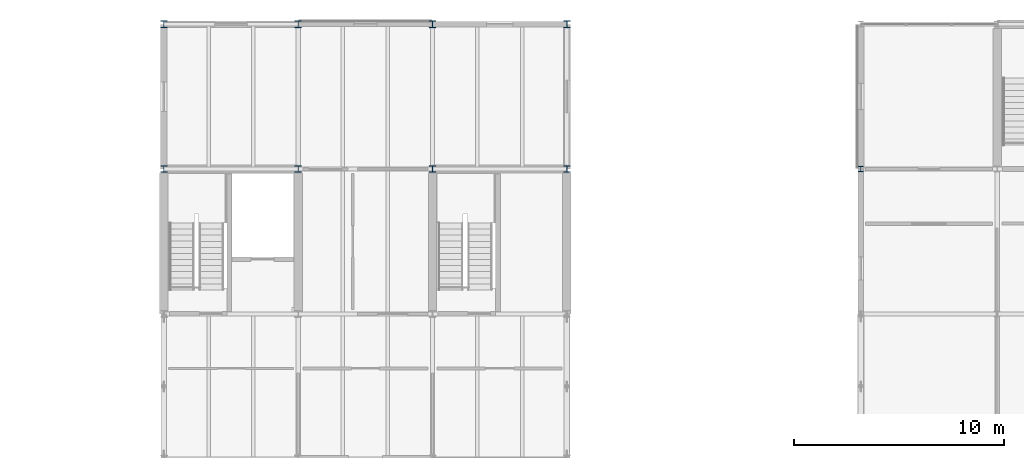
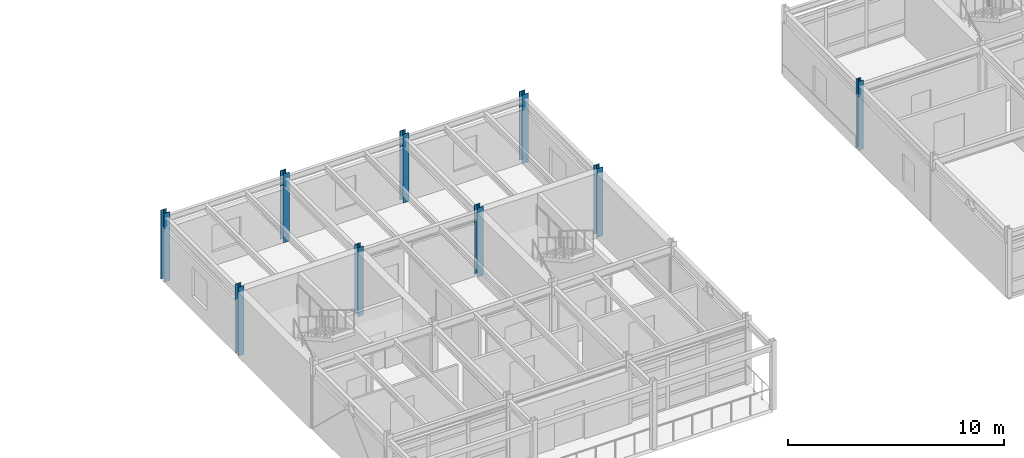
# One storey, part 8 of 57: 9 columns.
"""IFC4 building model written with IfcOpenShell, lengths in metres."""

from ifc_helpers import new_model, si_unit, direction, frame, origin, origin_2d, place, context, subcontext, project, spatial, i_section, extrude, material, material_profile, profile_set, type_object, element, save


model = new_model("IFC4")

# Units and contexts
model_context = context("Model", 3, precision=1e-05, world=origin(), true_north=direction((0.0, 1.0)))
body_context = subcontext(model_context, "Body", "Model", "MODEL_VIEW")
ifc_project = project(units=[si_unit("LENGTHUNIT", "METRE"), si_unit("AREAUNIT", "SQUARE_METRE"), si_unit("VOLUMEUNIT", "CUBIC_METRE"), si_unit("PLANEANGLEUNIT", "RADIAN"), si_unit("MASSUNIT", "GRAM", prefix="KILO")], contexts=[model_context])

# Site, building, storey
site_placement = place(None, origin())
site = spatial("IfcSite", under=ifc_project, at=site_placement, CompositionType="ELEMENT")
building_placement = place(site_placement, origin())
building = spatial("IfcBuilding", under=site, at=building_placement, Name="Trelmorton Wharf Fire Station", CompositionType="ELEMENT")
storey_placement = place(building_placement, frame((0.0, 0.0, 13.5)))
storey = spatial("IfcBuildingStorey", under=building, at=storey_placement, Name="L03", CompositionType="ELEMENT", Elevation=13.5)

# Columns
ifc_material = material(Name="Steel Grade 350", Category="steel")
ifc_material_profile_1 = material_profile(ifc_material, i_section(OverallWidth=0.256103515625, OverallDepth=0.260009765625, WebThickness=0.010498046875, FlangeThickness=0.017333984375, FilletRadius=0.0126953125, at=origin_2d()), Name="250UC89.5")
ifc_profile_set_1 = profile_set([ifc_material_profile_1], Name="Steel Grade 350")
column_type_1 = type_object("IfcColumnType", Name="COL_250UC89", PredefinedType="COLUMN", material=ifc_profile_set_1)
column_placement = place(storey_placement, frame((104.0, 74.10009765625, 0.0), z_axis=(0.0, 0.0, 1.0), x_axis=(1.0, 0.0, 0.0)))
element("IfcColumn", 1, at=column_placement, inside=storey, type_object=column_type_1, Name="COL-L03-0622", PredefinedType="COLUMN", context=body_context, shape_type="SweptSolid", body=[
    extrude(i_section(OverallWidth=0.256103515625, OverallDepth=0.260009765625, WebThickness=0.010498046875, FlangeThickness=0.017333984375, FilletRadius=0.0126953125, at=origin_2d()), origin(), (0.0, 0.0, 1.0), 3.89990234375),
])
ifc_material_profile_2 = material_profile(ifc_material, i_section(OverallWidth=0.30908203125, OverallDepth=0.321044921875, WebThickness=0.013916015625, FlangeThickness=0.021728515625, FilletRadius=0.0166015625, at=origin_2d()), Name="310UC137")
ifc_profile_set_2 = profile_set([ifc_material_profile_2], Name="Steel Grade 350")
column_type_2 = type_object("IfcColumnType", Name="COL_310UC137", PredefinedType="COLUMN", material=ifc_profile_set_2)
for number, where, z_axis, x_axis, name in (
    (2, (70.800048828125, 74.10009765625, 0.0), (0.0, 0.0, 1.0), (1.0, 0.0, 0.0), "COL-L03-0597"),
    (3, (70.800048828125, 81.0, 0.0), (0.0, 0.0, 1.0), (1.0, 0.0, 0.0), "COL-L03-0598"),
    (4, (77.199951171875, 74.10009765625, 0.0), (0.0, 0.0, 1.0), (1.0, 0.0, 0.0), "COL-L03-0605"),
    (5, (77.199951171875, 81.0, 0.0), (0.0, 0.0, 1.0), (1.0, 0.0, 0.0), "COL-L03-0606"),
    (6, (83.60009765625, 74.10009765625, 0.0), (0.0, 0.0, 1.0), (1.0, 0.0, 0.0), "COL-L03-0613"),
    (7, (83.60009765625, 81.0, 0.0), (0.0, 0.0, 1.0), (1.0, 0.0, 0.0), "COL-L03-0614"),
    (8, (90.0, 74.10009765625, 0.0), (0.0, 0.0, 1.0), (1.0, 0.0, 0.0), "COL-L03-0618"),
    (9, (90.0, 81.0, 0.0), (0.0, 0.0, 1.0), (1.0, 0.0, 0.0), "COL-L03-0619"),
):
    element("IfcColumn", number, at=place(storey_placement, frame(where, z_axis=z_axis, x_axis=x_axis)), inside=storey, type_object=column_type_2, Name=name, PredefinedType="COLUMN", context=body_context, shape_type="SweptSolid", body=[
        extrude(i_section(OverallWidth=0.30908203125, OverallDepth=0.321044921875, WebThickness=0.013916015625, FlangeThickness=0.021728515625, FilletRadius=0.0166015625, at=origin_2d()), origin(), (0.0, 0.0, 1.0), 3.89990234375),
    ])

save(model, "model.ifc")
